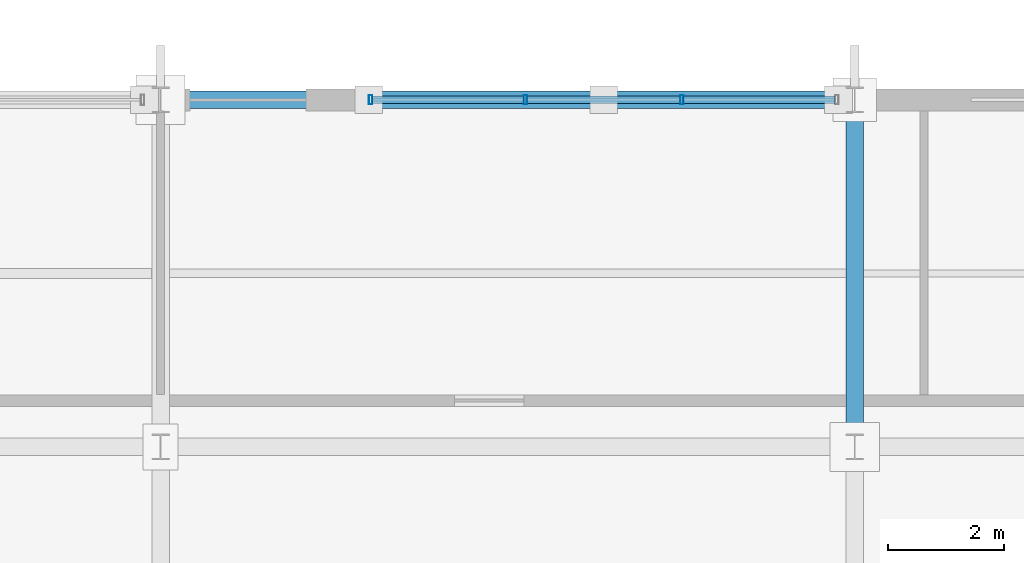
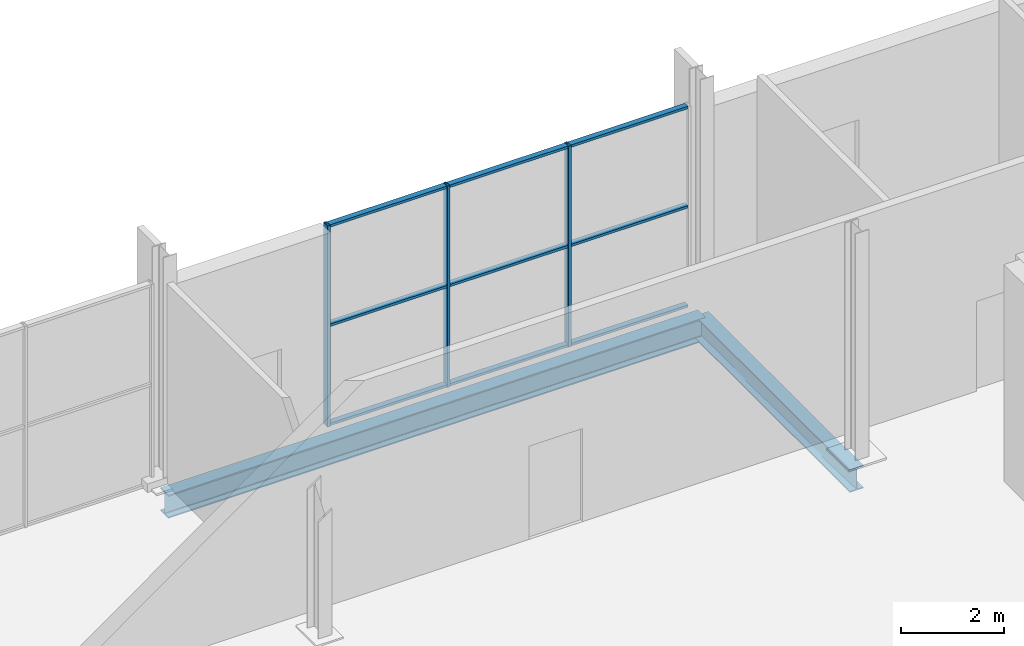
# One storey, part 134 of 196: 12 members, 2 beams, 1 element without a shape of its own.
"""IFC4 building model written with IfcOpenShell, lengths in metres."""

from ifc_helpers import new_model, si_unit, direction, frame, origin, origin_2d, place, context, subcontext, project, spatial, hollow_rectangle, i_section, extrude, material, material_profile, profile_set, type_object, element, aggregate, save


model = new_model("IFC4")

# Units and contexts
model_context = context("Model", 3, precision=1e-05, world=origin(), true_north=direction((0.0, 1.0)))
body_context = subcontext(model_context, "Body", "Model", "MODEL_VIEW")
ifc_project = project(units=[si_unit("LENGTHUNIT", "METRE"), si_unit("AREAUNIT", "SQUARE_METRE"), si_unit("VOLUMEUNIT", "CUBIC_METRE"), si_unit("PLANEANGLEUNIT", "RADIAN"), si_unit("MASSUNIT", "GRAM", prefix="KILO")], contexts=[model_context])

# Site, building, storey
site_placement = place(None, origin())
site = spatial("IfcSite", under=ifc_project, at=site_placement, CompositionType="ELEMENT")
building_placement = place(site_placement, origin())
building = spatial("IfcBuilding", under=site, at=building_placement, Name="Merenkruunu Market Hall", CompositionType="ELEMENT")
storey_placement = place(building_placement, origin())
storey = spatial("IfcBuildingStorey", under=building, at=storey_placement, Name="L00", CompositionType="ELEMENT", Elevation=0.0)

# Curtain wall, members
ifc_material_1 = material(Name="Powder-coated aluminium", Category="aluminium")
curtain_wall_type = type_object("IfcCurtainWallType", Name="Glazed Curtain Wall CW06", PredefinedType="USERDEFINED", material=ifc_material_1)
curtain_wall_placement = place(storey_placement, origin())
curtain_wall = element("IfcCurtainWall", 1, at=curtain_wall_placement, inside=storey, type_object=curtain_wall_type, Name="CW-L00-CWM01-196", ObjectType="GLAZED_FACADE", PredefinedType="USERDEFINED")
ifc_material_profile_1 = material_profile(ifc_material_1, hollow_rectangle(XDim=0.06005859375, YDim=0.159912109375, WallThickness=0.00390625, at=origin_2d()), Name="ALU 60x160x4")
ifc_profile_set_1 = profile_set([ifc_material_profile_1], Name="Powder-coated aluminium")
member_type_1 = type_object("IfcMemberType", Name="Curtain Wall Mullion CWM01", PredefinedType="MULLION", material=ifc_profile_set_1)
member_1_placement = place(storey_placement, frame((128.429931640625, 45.60009765625, 0.0), z_axis=(0.0, 0.0, 1.0), x_axis=(1.0, 0.0, 0.0)))
member_1 = element("IfcMember", 2, at=member_1_placement, type_object=member_type_1, Name="CW06 mullion 1", PredefinedType="MULLION", context=body_context, shape_type="SweptSolid", body=[
    extrude(hollow_rectangle(XDim=0.06005859375, YDim=0.159912109375, WallThickness=0.00390625, at=origin_2d()), origin(), (0.0, 0.0, 1.0), 4.75),
])
member_2_placement = place(storey_placement, frame((131.106689453125, 45.60009765625, 0.0), z_axis=(0.0, 0.0, 1.0), x_axis=(1.0, 0.0, 0.0)))
member_2 = element("IfcMember", 3, at=member_2_placement, type_object=member_type_1, Name="CW06 mullion 2", PredefinedType="MULLION", context=body_context, shape_type="SweptSolid", body=[
    extrude(hollow_rectangle(XDim=0.06005859375, YDim=0.159912109375, WallThickness=0.00390625, at=origin_2d()), origin(), (0.0, 0.0, 1.0), 4.75),
])
member_3_placement = place(storey_placement, frame((133.813232421875, 45.60009765625, 0.0), z_axis=(0.0, 0.0, 1.0), x_axis=(1.0, 0.0, 0.0)))
member_3 = element("IfcMember", 4, at=member_3_placement, type_object=member_type_1, Name="CW06 mullion 3", PredefinedType="MULLION", context=body_context, shape_type="SweptSolid", body=[
    extrude(hollow_rectangle(XDim=0.06005859375, YDim=0.159912109375, WallThickness=0.00390625, at=origin_2d()), origin(), (0.0, 0.0, 1.0), 4.75),
])
ifc_material_profile_2 = material_profile(ifc_material_1, hollow_rectangle(XDim=0.06005859375, YDim=0.125, WallThickness=0.00390625, at=origin_2d()), Name="ALU 60x125x4")
ifc_profile_set_2 = profile_set([ifc_material_profile_2], Name="Powder-coated aluminium")
member_type_2 = type_object("IfcMemberType", Name="Curtain Wall Transom CWT01", PredefinedType="USERDEFINED", material=ifc_profile_set_2)
member_4_placement = place(storey_placement, frame((128.4599609375, 45.60009765625, 0.030029296875), z_axis=(1.0, 0.0, 0.0), x_axis=(0.0, 0.0, 1.0)))
member_4 = element("IfcMember", 5, at=member_4_placement, type_object=member_type_2, Name="CW06 transom 1.1", ObjectType="TRANSOM", PredefinedType="USERDEFINED", context=body_context, shape_type="SweptSolid", body=[
    extrude(hollow_rectangle(XDim=0.06005859375, YDim=0.125, WallThickness=0.00390625, at=origin_2d()), origin(), (0.0, 0.0, 1.0), 2.61669921875),
])
member_5_placement = place(storey_placement, frame((128.4599609375, 45.60009765625, 2.375), z_axis=(1.0, 0.0, 0.0), x_axis=(0.0, 0.0, 1.0)))
member_5 = element("IfcMember", 6, at=member_5_placement, type_object=member_type_2, Name="CW06 transom 1.2", ObjectType="TRANSOM", PredefinedType="USERDEFINED", context=body_context, shape_type="SweptSolid", body=[
    extrude(hollow_rectangle(XDim=0.06005859375, YDim=0.125, WallThickness=0.00390625, at=origin_2d()), origin(), (0.0, 0.0, 1.0), 2.61669921875),
])
member_6_placement = place(storey_placement, frame((128.4599609375, 45.60009765625, 4.719970703125), z_axis=(1.0, 0.0, 0.0), x_axis=(0.0, 0.0, 1.0)))
member_6 = element("IfcMember", 7, at=member_6_placement, type_object=member_type_2, Name="CW06 transom 1.3", ObjectType="TRANSOM", PredefinedType="USERDEFINED", context=body_context, shape_type="SweptSolid", body=[
    extrude(hollow_rectangle(XDim=0.06005859375, YDim=0.125, WallThickness=0.00390625, at=origin_2d()), origin(), (0.0, 0.0, 1.0), 2.61669921875),
])
member_7_placement = place(storey_placement, frame((131.13671875, 45.60009765625, 0.030029296875), z_axis=(1.0, 0.0, 0.0), x_axis=(0.0, 0.0, 1.0)))
member_7 = element("IfcMember", 8, at=member_7_placement, type_object=member_type_2, Name="CW06 transom 2.1", ObjectType="TRANSOM", PredefinedType="USERDEFINED", context=body_context, shape_type="SweptSolid", body=[
    extrude(hollow_rectangle(XDim=0.06005859375, YDim=0.125, WallThickness=0.00390625, at=origin_2d()), origin(), (0.0, 0.0, 1.0), 2.646728515625),
])
member_8_placement = place(storey_placement, frame((131.13671875, 45.60009765625, 2.375), z_axis=(1.0, 0.0, 0.0), x_axis=(0.0, 0.0, 1.0)))
member_8 = element("IfcMember", 9, at=member_8_placement, type_object=member_type_2, Name="CW06 transom 2.2", ObjectType="TRANSOM", PredefinedType="USERDEFINED", context=body_context, shape_type="SweptSolid", body=[
    extrude(hollow_rectangle(XDim=0.06005859375, YDim=0.125, WallThickness=0.00390625, at=origin_2d()), origin(), (0.0, 0.0, 1.0), 2.646728515625),
])
member_9_placement = place(storey_placement, frame((131.13671875, 45.60009765625, 4.719970703125), z_axis=(1.0, 0.0, 0.0), x_axis=(0.0, 0.0, 1.0)))
member_9 = element("IfcMember", 10, at=member_9_placement, type_object=member_type_2, Name="CW06 transom 2.3", ObjectType="TRANSOM", PredefinedType="USERDEFINED", context=body_context, shape_type="SweptSolid", body=[
    extrude(hollow_rectangle(XDim=0.06005859375, YDim=0.125, WallThickness=0.00390625, at=origin_2d()), origin(), (0.0, 0.0, 1.0), 2.646728515625),
])
member_10_placement = place(storey_placement, frame((133.84326171875, 45.60009765625, 0.030029296875), z_axis=(1.0, 0.0, 0.0), x_axis=(0.0, 0.0, 1.0)))
member_10 = element("IfcMember", 11, at=member_10_placement, type_object=member_type_2, Name="CW06 transom 3.1", ObjectType="TRANSOM", PredefinedType="USERDEFINED", context=body_context, shape_type="SweptSolid", body=[
    extrude(hollow_rectangle(XDim=0.06005859375, YDim=0.125, WallThickness=0.00390625, at=origin_2d()), origin(), (0.0, 0.0, 1.0), 2.61669921875),
])
member_11_placement = place(storey_placement, frame((133.84326171875, 45.60009765625, 2.375), z_axis=(1.0, 0.0, 0.0), x_axis=(0.0, 0.0, 1.0)))
member_11 = element("IfcMember", 12, at=member_11_placement, type_object=member_type_2, Name="CW06 transom 3.2", ObjectType="TRANSOM", PredefinedType="USERDEFINED", context=body_context, shape_type="SweptSolid", body=[
    extrude(hollow_rectangle(XDim=0.06005859375, YDim=0.125, WallThickness=0.00390625, at=origin_2d()), origin(), (0.0, 0.0, 1.0), 2.61669921875),
])
member_12_placement = place(storey_placement, frame((133.84326171875, 45.60009765625, 4.719970703125), z_axis=(1.0, 0.0, 0.0), x_axis=(0.0, 0.0, 1.0)))
member_12 = element("IfcMember", 13, at=member_12_placement, type_object=member_type_2, Name="CW06 transom 3.3", ObjectType="TRANSOM", PredefinedType="USERDEFINED", context=body_context, shape_type="SweptSolid", body=[
    extrude(hollow_rectangle(XDim=0.06005859375, YDim=0.125, WallThickness=0.00390625, at=origin_2d()), origin(), (0.0, 0.0, 1.0), 2.61669921875),
])
aggregate(curtain_wall, [member_1, member_2, member_3, member_4, member_5, member_6, member_7, member_8, member_9, member_10, member_11, member_12])

# Beams
ifc_material_2 = material(Name="Steel S355J2", Category="steel")
ifc_material_profile_3 = material_profile(ifc_material_2, i_section(OverallWidth=0.300048828125, OverallDepth=0.550048828125, WebThickness=0.014892578125, FlangeThickness=0.029052734375, FilletRadius=0.027099609375, at=origin_2d()), Name="HEB 550")
ifc_profile_set_3 = profile_set([ifc_material_profile_3], Name="Steel S355J2")
beam_type_1 = type_object("IfcBeamType", Name="Primary Floor Girder B02", PredefinedType="BEAM", material=ifc_profile_set_3)
beam_1_placement = place(storey_placement, frame((124.800048828125, 45.60009765625, -0.574951171875), z_axis=(1.0, 0.0, 0.0), x_axis=(0.0, 1.0, 0.0)))
element("IfcBeam", 14, at=beam_1_placement, inside=storey, type_object=beam_type_1, Name="BM-L00-B02-0075", PredefinedType="BEAM", context=body_context, shape_type="SweptSolid", body=[
    extrude(i_section(OverallWidth=0.300048828125, OverallDepth=0.550048828125, WebThickness=0.014892578125, FlangeThickness=0.029052734375, FilletRadius=0.027099609375, at=origin_2d()), origin(), (0.0, 0.0, 1.0), 12.0),
])
ifc_material_profile_4 = material_profile(ifc_material_2, i_section(OverallWidth=0.300048828125, OverallDepth=0.5400390625, WebThickness=0.012451171875, FlangeThickness=0.02392578125, FilletRadius=0.027099609375, at=origin_2d()), Name="HEA 550")
ifc_profile_set_4 = profile_set([ifc_material_profile_4], Name="Steel S355J2")
beam_type_2 = type_object("IfcBeamType", Name="Primary Floor Girder B06", PredefinedType="BEAM", material=ifc_profile_set_4)
beam_2_placement = place(storey_placement, frame((136.800048828125, 39.60009765625, -0.570068359375), z_axis=(0.0, 1.0, 0.0), x_axis=(-1.0, 0.0, 0.0)))
element("IfcBeam", 15, at=beam_2_placement, inside=storey, type_object=beam_type_2, Name="BM-L00-B06-0235", PredefinedType="BEAM", context=body_context, shape_type="SweptSolid", body=[
    extrude(i_section(OverallWidth=0.300048828125, OverallDepth=0.5400390625, WebThickness=0.012451171875, FlangeThickness=0.02392578125, FilletRadius=0.027099609375, at=origin_2d()), origin(), (0.0, 0.0, 1.0), 6.0),
])

save(model, "model.ifc")
